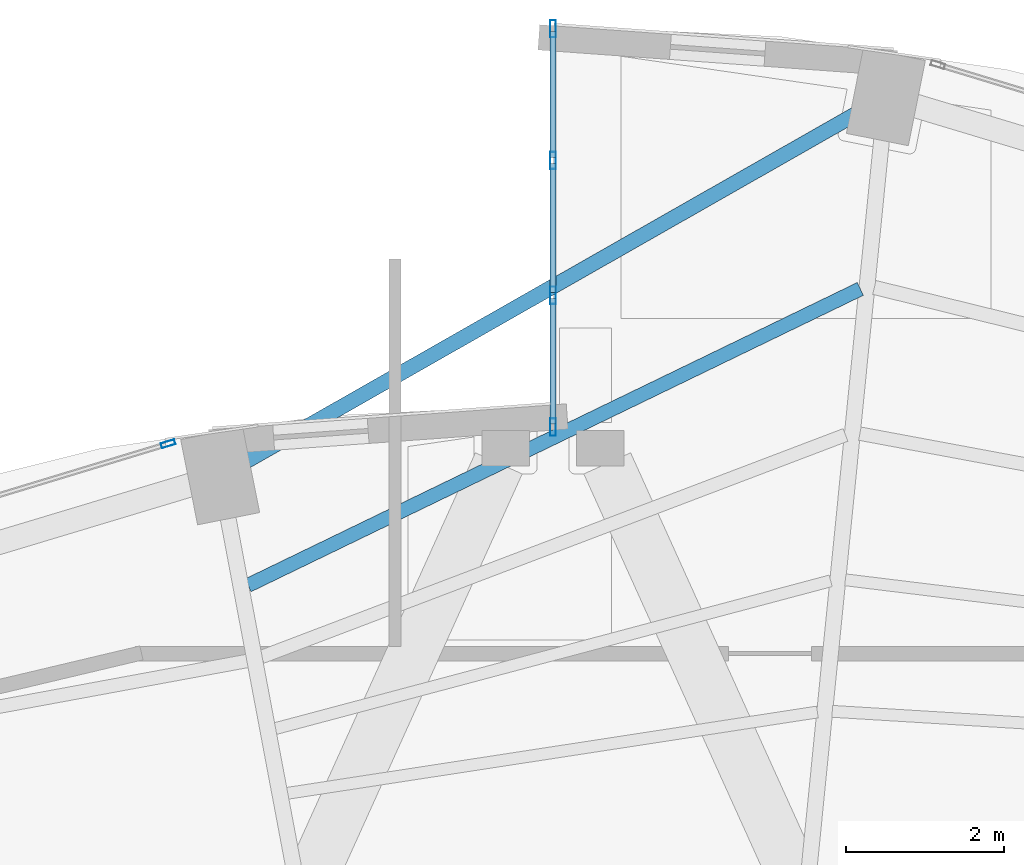
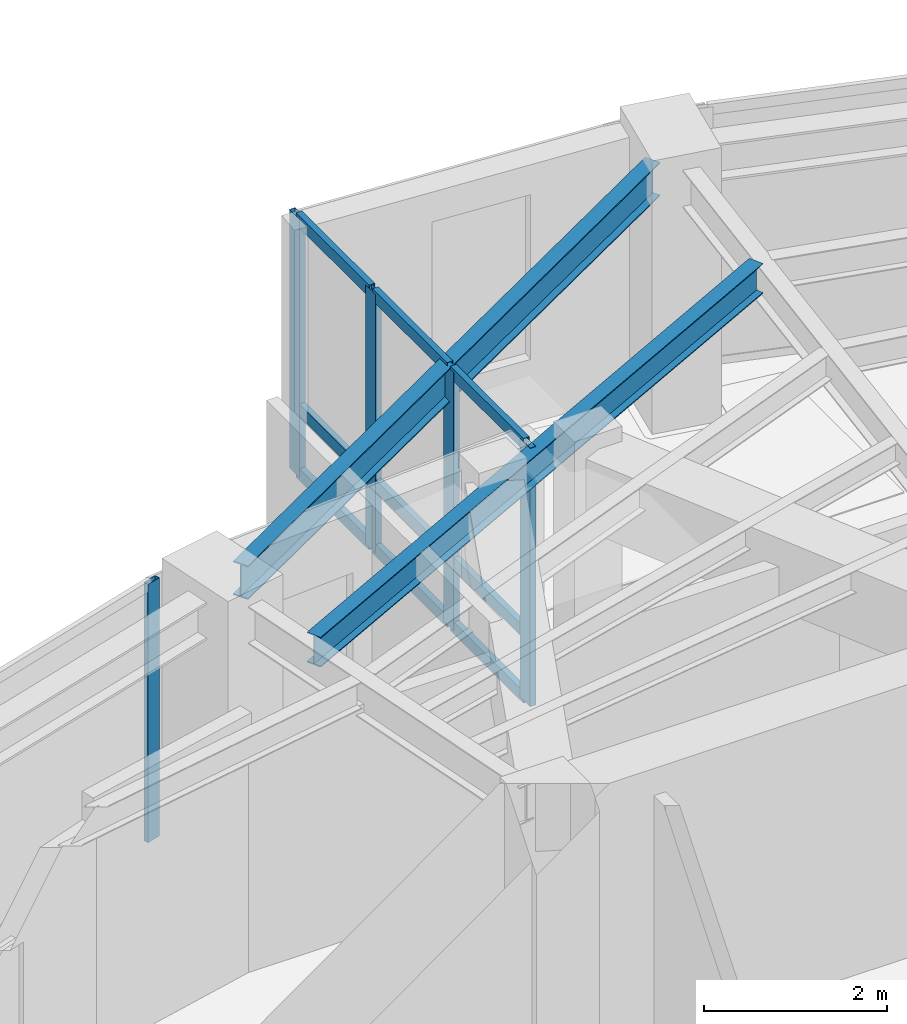
# One storey, part 16 of 23: 14 members, 2 beams, 2 elements without a shape of their own.
"""IFC4 building model written with IfcOpenShell, lengths in metres."""

from ifc_helpers import new_model, si_unit, direction, frame, origin, origin_2d, place, context, subcontext, project, spatial, hollow_rectangle, i_section, extrude, material, layer, layer_set, material_profile, profile_set, type_object, element, aggregate, save


model = new_model("IFC4")

# Units and contexts
model_context = context("Model", 3, precision=1e-05, world=origin(), true_north=direction((0.0, 1.0)))
body_context = subcontext(model_context, "Body", "Model", "MODEL_VIEW")
ifc_project = project(units=[si_unit("LENGTHUNIT", "METRE"), si_unit("AREAUNIT", "SQUARE_METRE"), si_unit("VOLUMEUNIT", "CUBIC_METRE"), si_unit("PLANEANGLEUNIT", "RADIAN"), si_unit("MASSUNIT", "GRAM", prefix="KILO")], contexts=[model_context])

# Site, building, storey
site_placement = place(None, origin())
site = spatial("IfcSite", under=ifc_project, at=site_placement, CompositionType="ELEMENT")
building_placement = place(site_placement, origin())
building = spatial("IfcBuilding", under=site, at=building_placement, Name="Lazwardi Medical Tower", CompositionType="ELEMENT")
storey_placement = place(building_placement, frame((0.0, 0.0, 209.424072265625)))
storey = spatial("IfcBuildingStorey", under=building, at=storey_placement, Name="L54", CompositionType="ELEMENT", Elevation=209.424072265625)

# Beams
ifc_material_1 = material(Name="Steel S355", Category="steel")
ifc_material_profile_1 = material_profile(ifc_material_1, i_section(OverallWidth=0.179931640625, OverallDepth=0.39990234375, WebThickness=0.008544921875, FlangeThickness=0.013427734375, at=origin_2d()), Name="IPE 400")
ifc_profile_set_1 = profile_set([ifc_material_profile_1], Name="Steel S355")
beam_type_1 = type_object("IfcBeamType", Name="BM-SJ-01", PredefinedType="JOIST", material=ifc_profile_set_1)
beam_1_placement = place(storey_placement, frame((39.89111328125, 43.367919921875, 3.248046875), z_axis=(-0.900068885459, -0.435747635024, 0.0), x_axis=(0.435747635024, -0.900068885459, 0.0)))
element("IfcBeam", 1, at=beam_1_placement, inside=storey, type_object=beam_type_1, Name="Secondary joist SJ-01 R1 B08 L54", PredefinedType="JOIST", context=body_context, shape_type="SweptSolid", body=[
    extrude(i_section(OverallWidth=0.179931640625, OverallDepth=0.39990234375, WebThickness=0.008544921875, FlangeThickness=0.013427734375, at=origin_2d()), origin(), (0.0, 0.0, 1.0), 8.612548828125),
])
ifc_material_profile_2 = material_profile(ifc_material_1, i_section(OverallWidth=0.18994140625, OverallDepth=0.449951171875, WebThickness=0.009521484375, FlangeThickness=0.0146484375, at=origin_2d()), Name="IPE 450")
ifc_profile_set_2 = profile_set([ifc_material_profile_2], Name="Steel S355")
beam_type_2 = type_object("IfcBeamType", Name="BM-SP-01", PredefinedType="SPANDREL", material=ifc_profile_set_2)
beam_2_placement = place(storey_placement, frame((39.875, 45.605224609375, 3.222900390625), z_axis=(-0.868954808466, -0.494891443494, 0.0), x_axis=(0.494891443494, -0.868954808466, 0.0)))
element("IfcBeam", 2, at=beam_2_placement, inside=storey, type_object=beam_type_2, Name="Spandrel beam SP-01 B08 L54", PredefinedType="SPANDREL", context=body_context, shape_type="SweptSolid", body=[
    extrude(i_section(OverallWidth=0.18994140625, OverallDepth=0.449951171875, WebThickness=0.009521484375, FlangeThickness=0.0146484375, at=origin_2d()), origin(), (0.0, 0.0, 1.0), 8.918701171875),
])

# Curtain wall, members
ifc_material_2 = material(Name="Anodised bronze aluminium and solar control glazing", Category="aluminium")
ifc_layer_1 = layer(ifc_material_2, 0.2099609375)
ifc_layer_set_1 = layer_set([ifc_layer_1], Name="Anodised bronze aluminium and solar control glazing")
curtain_wall_type_1 = type_object("IfcCurtainWallType", Name="CW-SYS-06", PredefinedType="NOTDEFINED", material=ifc_layer_set_1)
curtain_wall_1_placement = place(storey_placement, origin())
curtain_wall_1 = element("IfcCurtainWall", 3, at=curtain_wall_1_placement, inside=storey, type_object=curtain_wall_type_1, Name="L54 Unitised bronze curtain wall CW-06", PredefinedType="NOTDEFINED")
ifc_material_3 = material(Name="Anodised bronze aluminium", Category="aluminium")
ifc_material_profile_3 = material_profile(ifc_material_3, hollow_rectangle(XDim=0.074951171875, YDim=0.219970703125, WallThickness=0.00390625, at=origin_2d()), Name="ALU-MULLION 220x75x4")
ifc_profile_set_3 = profile_set([ifc_material_profile_3], Name="Anodised bronze aluminium")
member_type_1 = type_object("IfcMemberType", Name="CW-MUL-01", PredefinedType="MULLION", material=ifc_profile_set_3)
member_1_placement = place(storey_placement, frame((36.0, 46.66259765625, 0.0), z_axis=(0.0, 0.0, 1.0), x_axis=(1.0, 0.0, 0.0)))
member_1 = element("IfcMember", 4, at=member_1_placement, type_object=member_type_1, Name="CW-06 mullion 1", PredefinedType="MULLION", context=body_context, shape_type="SweptSolid", body=[
    extrude(hollow_rectangle(XDim=0.074951171875, YDim=0.219970703125, WallThickness=0.00390625, at=origin_2d()), origin(), (0.0, 0.0, 1.0), 3.447998046875),
])
member_2_placement = place(storey_placement, frame((36.0, 44.993408203125, 0.0), z_axis=(0.0, 0.0, 1.0), x_axis=(1.0, 0.0, 0.0)))
member_2 = element("IfcMember", 5, at=member_2_placement, type_object=member_type_1, Name="CW-06 mullion 2", PredefinedType="MULLION", context=body_context, shape_type="SweptSolid", body=[
    extrude(hollow_rectangle(XDim=0.074951171875, YDim=0.219970703125, WallThickness=0.00390625, at=origin_2d()), origin(), (0.0, 0.0, 1.0), 3.447998046875),
])
member_3_placement = place(storey_placement, frame((36.0, 43.28662109375, 0.0), z_axis=(0.0, 0.0, 1.0), x_axis=(1.0, 0.0, 0.0)))
member_3 = element("IfcMember", 6, at=member_3_placement, type_object=member_type_1, Name="CW-06 mullion 3", PredefinedType="MULLION", context=body_context, shape_type="SweptSolid", body=[
    extrude(hollow_rectangle(XDim=0.074951171875, YDim=0.219970703125, WallThickness=0.00390625, at=origin_2d()), origin(), (0.0, 0.0, 1.0), 3.447998046875),
])
member_4_placement = place(storey_placement, frame((36.0, 41.617431640625, 0.0), z_axis=(0.0, 0.0, 1.0), x_axis=(1.0, 0.0, 0.0)))
member_4 = element("IfcMember", 7, at=member_4_placement, type_object=member_type_1, Name="CW-06 mullion 4", PredefinedType="MULLION", context=body_context, shape_type="SweptSolid", body=[
    extrude(hollow_rectangle(XDim=0.074951171875, YDim=0.219970703125, WallThickness=0.00390625, at=origin_2d()), origin(), (0.0, 0.0, 1.0), 3.447998046875),
])

# Curtain wall, member
ifc_layer_2 = layer(ifc_material_2, 0.18994140625)
ifc_layer_set_2 = layer_set([ifc_layer_2], Name="Anodised bronze aluminium and solar control glazing")
curtain_wall_type_2 = type_object("IfcCurtainWallType", Name="CW-SYS-04", PredefinedType="NOTDEFINED", material=ifc_layer_set_2)
curtain_wall_2_placement = place(storey_placement, origin())
curtain_wall_2 = element("IfcCurtainWall", 8, at=curtain_wall_2_placement, inside=storey, type_object=curtain_wall_type_2, Name="L54 Unitised bronze curtain wall CW-04", PredefinedType="NOTDEFINED")
ifc_material_profile_4 = material_profile(ifc_material_3, hollow_rectangle(XDim=0.06494140625, YDim=0.179931640625, WallThickness=0.00390625, at=origin_2d()), Name="ALU-MULLION 180x65x4")
ifc_profile_set_4 = profile_set([ifc_material_profile_4], Name="Anodised bronze aluminium")
member_type_2 = type_object("IfcMemberType", Name="CW-MUL-03", PredefinedType="MULLION", material=ifc_profile_set_4)
member_5_placement = place(storey_placement, frame((31.126953125, 41.406982421875, 0.0), z_axis=(0.0, 0.0, 1.0), x_axis=(0.290581889515, -0.956850126972, 0.0)))
member_5 = element("IfcMember", 9, at=member_5_placement, type_object=member_type_2, Name="CW-04 mullion 1", PredefinedType="MULLION", context=body_context, shape_type="SweptSolid", body=[
    extrude(hollow_rectangle(XDim=0.06494140625, YDim=0.179931640625, WallThickness=0.00390625, at=origin_2d()), origin(), (0.0, 0.0, 1.0), 3.447998046875),
])
aggregate(curtain_wall_2, [member_5])

# Member
ifc_material_profile_5 = material_profile(ifc_material_3, hollow_rectangle(XDim=0.074951171875, YDim=0.159912109375, WallThickness=0.00390625, at=origin_2d()), Name="ALU-TRANSOM 160x75x4")
ifc_profile_set_5 = profile_set([ifc_material_profile_5], Name="Anodised bronze aluminium")
member_type_3 = type_object("IfcMemberType", Name="CW-TRN-01", PredefinedType="USERDEFINED", material=ifc_profile_set_5)
member_6_placement = place(storey_placement, frame((36.0, 46.625, 0.037353515625), z_axis=(0.0, -1.0, 0.0), x_axis=(1.0, 0.0, 0.0)))
member_6 = element("IfcMember", 10, at=member_6_placement, type_object=member_type_3, Name="CW-06 transom 1.1", ObjectType="TRANSOM", PredefinedType="USERDEFINED", context=body_context, shape_type="SweptSolid", body=[
    extrude(hollow_rectangle(XDim=0.074951171875, YDim=0.159912109375, WallThickness=0.00390625, at=origin_2d()), origin(), (0.0, 0.0, 1.0), 1.59423828125),
])

member_7_placement = place(storey_placement, frame((36.0, 46.625, 0.89990234375), z_axis=(0.0, -1.0, 0.0), x_axis=(1.0, 0.0, 0.0)))
member_7 = element("IfcMember", 11, at=member_7_placement, type_object=member_type_3, Name="CW-06 transom 1.2", ObjectType="TRANSOM", PredefinedType="USERDEFINED", context=body_context, shape_type="SweptSolid", body=[
    extrude(hollow_rectangle(XDim=0.074951171875, YDim=0.159912109375, WallThickness=0.00390625, at=origin_2d()), origin(), (0.0, 0.0, 1.0), 1.59423828125),
])

member_8_placement = place(storey_placement, frame((36.0, 46.625, 3.410400390625), z_axis=(0.0, -1.0, 0.0), x_axis=(1.0, 0.0, 0.0)))
member_8 = element("IfcMember", 12, at=member_8_placement, type_object=member_type_3, Name="CW-06 transom 1.3", ObjectType="TRANSOM", PredefinedType="USERDEFINED", context=body_context, shape_type="SweptSolid", body=[
    extrude(hollow_rectangle(XDim=0.074951171875, YDim=0.159912109375, WallThickness=0.00390625, at=origin_2d()), origin(), (0.0, 0.0, 1.0), 1.59423828125),
])

member_9_placement = place(storey_placement, frame((36.0, 44.955810546875, 0.037353515625), z_axis=(0.0, -1.0, 0.0), x_axis=(1.0, 0.0, 0.0)))
member_9 = element("IfcMember", 13, at=member_9_placement, type_object=member_type_3, Name="CW-06 transom 2.1", ObjectType="TRANSOM", PredefinedType="USERDEFINED", context=body_context, shape_type="SweptSolid", body=[
    extrude(hollow_rectangle(XDim=0.074951171875, YDim=0.159912109375, WallThickness=0.00390625, at=origin_2d()), origin(), (0.0, 0.0, 1.0), 1.631591796875),
])

member_10_placement = place(storey_placement, frame((36.0, 44.955810546875, 0.89990234375), z_axis=(0.0, -1.0, 0.0), x_axis=(1.0, 0.0, 0.0)))
member_10 = element("IfcMember", 14, at=member_10_placement, type_object=member_type_3, Name="CW-06 transom 2.2", ObjectType="TRANSOM", PredefinedType="USERDEFINED", context=body_context, shape_type="SweptSolid", body=[
    extrude(hollow_rectangle(XDim=0.074951171875, YDim=0.159912109375, WallThickness=0.00390625, at=origin_2d()), origin(), (0.0, 0.0, 1.0), 1.631591796875),
])

member_11_placement = place(storey_placement, frame((36.0, 44.955810546875, 3.410400390625), z_axis=(0.0, -1.0, 0.0), x_axis=(1.0, 0.0, 0.0)))
member_11 = element("IfcMember", 15, at=member_11_placement, type_object=member_type_3, Name="CW-06 transom 2.3", ObjectType="TRANSOM", PredefinedType="USERDEFINED", context=body_context, shape_type="SweptSolid", body=[
    extrude(hollow_rectangle(XDim=0.074951171875, YDim=0.159912109375, WallThickness=0.00390625, at=origin_2d()), origin(), (0.0, 0.0, 1.0), 1.631591796875),
])

member_12_placement = place(storey_placement, frame((36.0, 43.249267578125, 0.037353515625), z_axis=(0.0, -1.0, 0.0), x_axis=(1.0, 0.0, 0.0)))
member_12 = element("IfcMember", 16, at=member_12_placement, type_object=member_type_3, Name="CW-06 transom 3.1", ObjectType="TRANSOM", PredefinedType="USERDEFINED", context=body_context, shape_type="SweptSolid", body=[
    extrude(hollow_rectangle(XDim=0.074951171875, YDim=0.159912109375, WallThickness=0.00390625, at=origin_2d()), origin(), (0.0, 0.0, 1.0), 1.59423828125),
])

member_13_placement = place(storey_placement, frame((36.0, 43.249267578125, 0.89990234375), z_axis=(0.0, -1.0, 0.0), x_axis=(1.0, 0.0, 0.0)))
member_13 = element("IfcMember", 17, at=member_13_placement, type_object=member_type_3, Name="CW-06 transom 3.2", ObjectType="TRANSOM", PredefinedType="USERDEFINED", context=body_context, shape_type="SweptSolid", body=[
    extrude(hollow_rectangle(XDim=0.074951171875, YDim=0.159912109375, WallThickness=0.00390625, at=origin_2d()), origin(), (0.0, 0.0, 1.0), 1.59423828125),
])

member_14_placement = place(storey_placement, frame((36.0, 43.249267578125, 3.410400390625), z_axis=(0.0, -1.0, 0.0), x_axis=(1.0, 0.0, 0.0)))
member_14 = element("IfcMember", 18, at=member_14_placement, type_object=member_type_3, Name="CW-06 transom 3.3", ObjectType="TRANSOM", PredefinedType="USERDEFINED", context=body_context, shape_type="SweptSolid", body=[
    extrude(hollow_rectangle(XDim=0.074951171875, YDim=0.159912109375, WallThickness=0.00390625, at=origin_2d()), origin(), (0.0, 0.0, 1.0), 1.59423828125),
])

aggregate(curtain_wall_1, [member_1, member_2, member_3, member_4, member_6, member_7, member_8, member_9, member_10, member_11, member_12, member_13, member_14])

save(model, "model.ifc")
